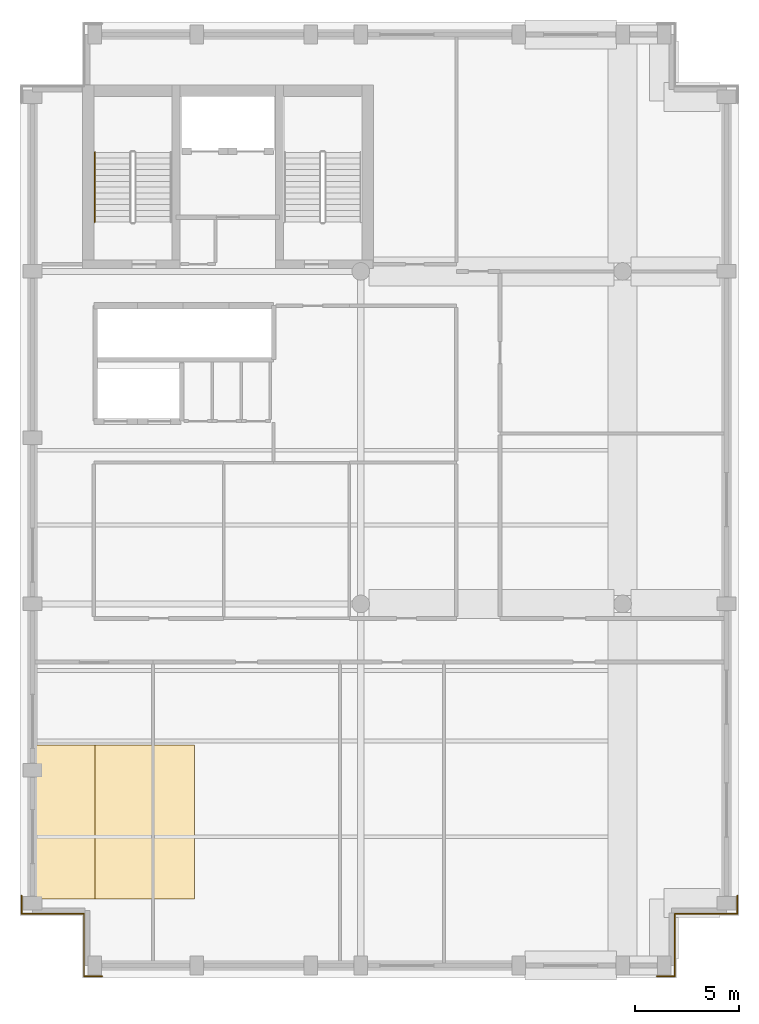
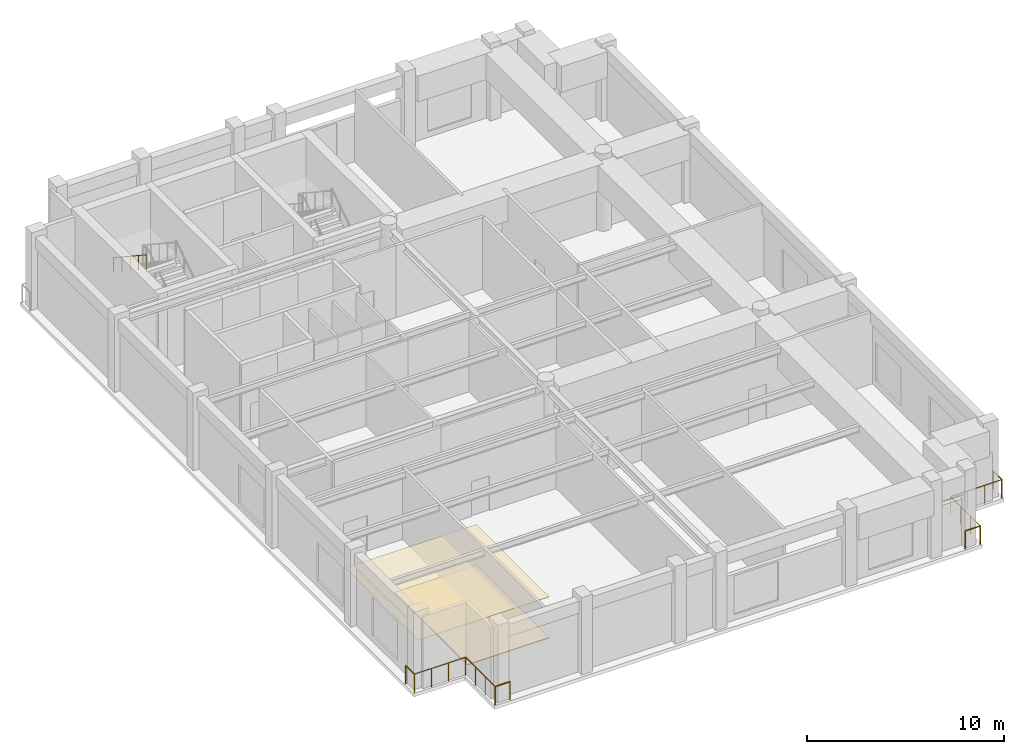
# One storey, part 5 of 6: 9 railings, 2 coverings.
"""IFC4 building model written with IfcOpenShell, lengths in metres."""

from ifc_helpers import new_model, si_unit, direction, frame, origin, origin_2d, place, context, subcontext, project, spatial, polyline, circle, outline, extrude, material, layer, layer_set, type_object, element, save


model = new_model("IFC4")

# Units and contexts
model_context = context("Model", 3, precision=1e-05, world=origin(), true_north=direction((0.0, 1.0)))
body_context = subcontext(model_context, "Body", "Model", "MODEL_VIEW")
ifc_project = project(units=[si_unit("LENGTHUNIT", "METRE"), si_unit("AREAUNIT", "SQUARE_METRE"), si_unit("VOLUMEUNIT", "CUBIC_METRE"), si_unit("PLANEANGLEUNIT", "RADIAN"), si_unit("MASSUNIT", "GRAM", prefix="KILO")], contexts=[model_context])

# Site, building, storey
site_placement = place(None, origin())
site = spatial("IfcSite", under=ifc_project, at=site_placement, CompositionType="ELEMENT")
building_placement = place(site_placement, origin())
building = spatial("IfcBuilding", under=site, at=building_placement, Name="Sulina Concourse Tower", CompositionType="ELEMENT")
storey_placement = place(building_placement, frame((0.0, 0.0, 313.0)))
storey = spatial("IfcBuildingStorey", under=building, at=storey_placement, Name="L76", CompositionType="ELEMENT", Elevation=313.0)

# Railings
ifc_material_1 = material(Name="Galvanised steel railing", Category="steel")
railing_type_1 = type_object("IfcRailingType", Name="Core Stair Steel Guardrail 1150mm", PredefinedType="GUARDRAIL", material=ifc_material_1)
railing_1_placement = place(storey_placement, frame((34.52001953125, 3.949951171875, 0.0)))
element("IfcRailing", 1, at=railing_1_placement, inside=storey, type_object=railing_type_1, Name="L76 perimeter edge safety guardrail SE1", PredefinedType="GUARDRAIL", context=body_context, shape_type="SweptSolid", body=[
    extrude(circle(Radius=0.02392578125, at=origin_2d()), frame((0.0, 0.0, 1.1259765625), z_axis=(0.0, -1.0, 0.0), x_axis=(1.0, 0.0, 0.0)), (0.0, 0.0, 1.0), 0.869873046875),
    extrude(circle(Radius=0.02099609375, at=origin_2d()), origin(), (0.0, 0.0, 1.0), 1.101806640625),
    extrude(circle(Radius=0.02099609375, at=origin_2d()), frame((0.0, -0.869873046875, 0.0)), (0.0, 0.0, 1.0), 1.101806640625),
])
railing_2_placement = place(storey_placement, frame((34.52001953125, 3.080078125, 0.0)))
element("IfcRailing", 2, at=railing_2_placement, inside=storey, type_object=railing_type_1, Name="L76 perimeter edge safety guardrail SE2", PredefinedType="GUARDRAIL", context=body_context, shape_type="SweptSolid", body=[
    extrude(circle(Radius=0.02392578125, at=origin_2d()), frame((0.0, 0.0, 1.1259765625), z_axis=(-1.0, 0.0, 0.0), x_axis=(0.0, -1.0, 0.0)), (0.0, 0.0, 1.0), 3.0),
    extrude(circle(Radius=0.02099609375, at=origin_2d()), origin(), (0.0, 0.0, 1.0), 1.101806640625),
    extrude(circle(Radius=0.02099609375, at=origin_2d()), frame((-1.0, 0.0, 0.0)), (0.0, 0.0, 1.0), 1.101806640625),
    extrude(circle(Radius=0.02099609375, at=origin_2d()), frame((-2.0, 0.0, 0.0)), (0.0, 0.0, 1.0), 1.101806640625),
    extrude(circle(Radius=0.02099609375, at=origin_2d()), frame((-3.0, 0.0, 0.0)), (0.0, 0.0, 1.0), 1.101806640625),
])
railing_3_placement = place(storey_placement, frame((31.52001953125, 3.080078125, 0.0)))
element("IfcRailing", 3, at=railing_3_placement, inside=storey, type_object=railing_type_1, Name="L76 perimeter edge safety guardrail SE3", PredefinedType="GUARDRAIL", context=body_context, shape_type="SweptSolid", body=[
    extrude(circle(Radius=0.02392578125, at=origin_2d()), frame((0.0, 0.0, 1.1259765625), z_axis=(0.0, -1.0, 0.0), x_axis=(1.0, 0.0, 0.0)), (0.0, 0.0, 1.0), 3.0),
    extrude(circle(Radius=0.02099609375, at=origin_2d()), origin(), (0.0, 0.0, 1.0), 1.101806640625),
    extrude(circle(Radius=0.02099609375, at=origin_2d()), frame((0.0, -1.0, 0.0)), (0.0, 0.0, 1.0), 1.101806640625),
    extrude(circle(Radius=0.02099609375, at=origin_2d()), frame((0.0, -2.0, 0.0)), (0.0, 0.0, 1.0), 1.101806640625),
    extrude(circle(Radius=0.02099609375, at=origin_2d()), frame((0.0, -3.0, 0.0)), (0.0, 0.0, 1.0), 1.101806640625),
])
railing_4_placement = place(storey_placement, frame((31.52001953125, 0.080078125, 0.0)))
element("IfcRailing", 4, at=railing_4_placement, inside=storey, type_object=railing_type_1, Name="L76 perimeter edge safety guardrail SE4", PredefinedType="GUARDRAIL", context=body_context, shape_type="SweptSolid", body=[
    extrude(circle(Radius=0.02392578125, at=origin_2d()), frame((0.0, 0.0, 1.1259765625), z_axis=(-1.0, 0.0, 0.0), x_axis=(0.0, -1.0, 0.0)), (0.0, 0.0, 1.0), 0.8701171875),
    extrude(circle(Radius=0.02099609375, at=origin_2d()), origin(), (0.0, 0.0, 1.0), 1.101806640625),
    extrude(circle(Radius=0.02099609375, at=origin_2d()), frame((-0.8701171875, 0.0, 0.0)), (0.0, 0.0, 1.0), 1.101806640625),
])
railing_5_placement = place(storey_placement, frame((3.949951171875, 0.080078125, 0.0)))
element("IfcRailing", 5, at=railing_5_placement, inside=storey, type_object=railing_type_1, Name="L76 perimeter edge safety guardrail SW1", PredefinedType="GUARDRAIL", context=body_context, shape_type="SweptSolid", body=[
    extrude(circle(Radius=0.02392578125, at=origin_2d()), frame((0.0, 0.0, 1.1259765625), z_axis=(-1.0, 0.0, 0.0), x_axis=(0.0, -1.0, 0.0)), (0.0, 0.0, 1.0), 0.869873046875),
    extrude(circle(Radius=0.02099609375, at=origin_2d()), origin(), (0.0, 0.0, 1.0), 1.101806640625),
    extrude(circle(Radius=0.02099609375, at=origin_2d()), frame((-0.869873046875, 0.0, 0.0)), (0.0, 0.0, 1.0), 1.101806640625),
])
railing_6_placement = place(storey_placement, frame((3.080078125, 0.080078125, 0.0)))
element("IfcRailing", 6, at=railing_6_placement, inside=storey, type_object=railing_type_1, Name="L76 perimeter edge safety guardrail SW2", PredefinedType="GUARDRAIL", context=body_context, shape_type="SweptSolid", body=[
    extrude(circle(Radius=0.02392578125, at=origin_2d()), frame((0.0, 0.0, 1.1259765625), z_axis=(0.0, 1.0, 0.0), x_axis=(-1.0, 0.0, 0.0)), (0.0, 0.0, 1.0), 3.0),
    extrude(circle(Radius=0.02099609375, at=origin_2d()), origin(), (0.0, 0.0, 1.0), 1.101806640625),
    extrude(circle(Radius=0.02099609375, at=origin_2d()), frame((0.0, 1.0, 0.0)), (0.0, 0.0, 1.0), 1.101806640625),
    extrude(circle(Radius=0.02099609375, at=origin_2d()), frame((0.0, 2.0, 0.0)), (0.0, 0.0, 1.0), 1.101806640625),
    extrude(circle(Radius=0.02099609375, at=origin_2d()), frame((0.0, 3.0, 0.0)), (0.0, 0.0, 1.0), 1.101806640625),
])
railing_7_placement = place(storey_placement, frame((3.080078125, 3.080078125, 0.0)))
element("IfcRailing", 7, at=railing_7_placement, inside=storey, type_object=railing_type_1, Name="L76 perimeter edge safety guardrail SW3", PredefinedType="GUARDRAIL", context=body_context, shape_type="SweptSolid", body=[
    extrude(circle(Radius=0.02392578125, at=origin_2d()), frame((0.0, 0.0, 1.1259765625), z_axis=(-1.0, 0.0, 0.0), x_axis=(0.0, -1.0, 0.0)), (0.0, 0.0, 1.0), 3.0),
    extrude(circle(Radius=0.02099609375, at=origin_2d()), origin(), (0.0, 0.0, 1.0), 1.101806640625),
    extrude(circle(Radius=0.02099609375, at=origin_2d()), frame((-1.0, 0.0, 0.0)), (0.0, 0.0, 1.0), 1.101806640625),
    extrude(circle(Radius=0.02099609375, at=origin_2d()), frame((-2.0, 0.0, 0.0)), (0.0, 0.0, 1.0), 1.101806640625),
    extrude(circle(Radius=0.02099609375, at=origin_2d()), frame((-3.0, 0.0, 0.0)), (0.0, 0.0, 1.0), 1.101806640625),
])
railing_8_placement = place(storey_placement, frame((0.080078125, 3.080078125, 0.0)))
element("IfcRailing", 8, at=railing_8_placement, inside=storey, type_object=railing_type_1, Name="L76 perimeter edge safety guardrail SW4", PredefinedType="GUARDRAIL", context=body_context, shape_type="SweptSolid", body=[
    extrude(circle(Radius=0.02392578125, at=origin_2d()), frame((0.0, 0.0, 1.1259765625), z_axis=(0.0, 1.0, 0.0), x_axis=(-1.0, 0.0, 0.0)), (0.0, 0.0, 1.0), 0.869873046875),
    extrude(circle(Radius=0.02099609375, at=origin_2d()), origin(), (0.0, 0.0, 1.0), 1.101806640625),
    extrude(circle(Radius=0.02099609375, at=origin_2d()), frame((0.0, 0.869873046875, 0.0)), (0.0, 0.0, 1.0), 1.101806640625),
])

# Covering
ifc_material_2 = material(Name="Polished granite flooring", Category="masonry")
ifc_layer_1 = layer(ifc_material_2, 0.044921875)
ifc_layer_set_1 = layer_set([ifc_layer_1], Name="Polished granite flooring")
covering_type_1 = type_object("IfcCoveringType", Name="Polished Granite & Raised Access Flooring 45mm", PredefinedType="FLOORING", material=ifc_layer_set_1)
covering_1_placement = place(storey_placement, origin())
element("IfcCovering", 9, at=covering_1_placement, inside=storey, type_object=covering_type_1, Name="L76 raised access floor finish", PredefinedType="FLOORING", context=body_context, shape_type="SweptSolid", body=[
    extrude(outline(polyline([(3.60009765625, 3.800048828125), (8.39990234375, 3.800048828125), (8.39990234375, 11.199951171875), (3.60009765625, 11.199951171875), (3.60009765625, 3.800048828125)])), origin(), (0.0, 0.0, 1.0), 0.044921875),
])

# Railing
ifc_material_3 = material(Name="Galvanised steel railing", Category="steel")
railing_type_2 = type_object("IfcRailingType", Name="Stair Wall Steel Handrail 920mm", PredefinedType="HANDRAIL", material=ifc_material_3)
railing_9_placement = place(storey_placement, frame((3.60498046875, 39.735107421875, 2.584716796875)))
element("IfcRailing", 10, at=railing_9_placement, inside=storey, type_object=railing_type_2, Name="L76 ST-1 stair handrail 2", PredefinedType="HANDRAIL", context=body_context, shape_type="SweptSolid", body=[
    extrude(circle(Radius=0.02392578125, at=origin_2d()), frame((0.0, 0.0, 0.89599609375), z_axis=(0.0, -0.834876476806, 0.550437342915), x_axis=(1.0, 0.0, 0.0)), (0.0, 0.0, 1.0), 4.024658203125),
    extrude(circle(Radius=0.02099609375, at=origin_2d()), origin(), (0.0, 0.0, 1.0), 0.871826171875),
    extrude(circle(Radius=0.02099609375, at=origin_2d()), frame((0.0, -0.840087890625, 0.5537109375)), (0.0, 0.0, 1.0), 0.871826171875),
    extrude(circle(Radius=0.02099609375, at=origin_2d()), frame((0.0, -1.68017578125, 1.107666015625)), (0.0, 0.0, 1.0), 0.871826171875),
    extrude(circle(Radius=0.02099609375, at=origin_2d()), frame((0.0, -2.52001953125, 1.66162109375)), (0.0, 0.0, 1.0), 0.871826171875),
    extrude(circle(Radius=0.02099609375, at=origin_2d()), frame((0.0, -3.360107421875, 2.21533203125)), (0.0, 0.0, 1.0), 0.871826171875),
])

# Covering
ifc_material_4 = material(Name="Acoustic mineral ceiling board")
ifc_layer_2 = layer(ifc_material_4, 0.02490234375)
ifc_layer_set_2 = layer_set([ifc_layer_2], Name="Acoustic mineral ceiling board")
covering_type_2 = type_object("IfcCoveringType", Name="Suspended Acoustic Mineral Ceiling 25mm", PredefinedType="CEILING", material=ifc_layer_set_2)
covering_2_placement = place(storey_placement, frame((0.0, 0.0, 2.550048828125)))
element("IfcCovering", 11, at=covering_2_placement, inside=storey, type_object=covering_type_2, Name="L76 suspended acoustic tile ceiling", PredefinedType="CEILING", context=body_context, shape_type="SweptSolid", body=[
    extrude(outline(polyline([(0.719970703125, 3.800048828125), (8.39990234375, 3.800048828125), (8.39990234375, 11.199951171875), (0.719970703125, 11.199951171875), (0.719970703125, 3.800048828125)])), origin(), (0.0, 0.0, 1.0), 0.02490234375),
])

save(model, "model.ifc")
